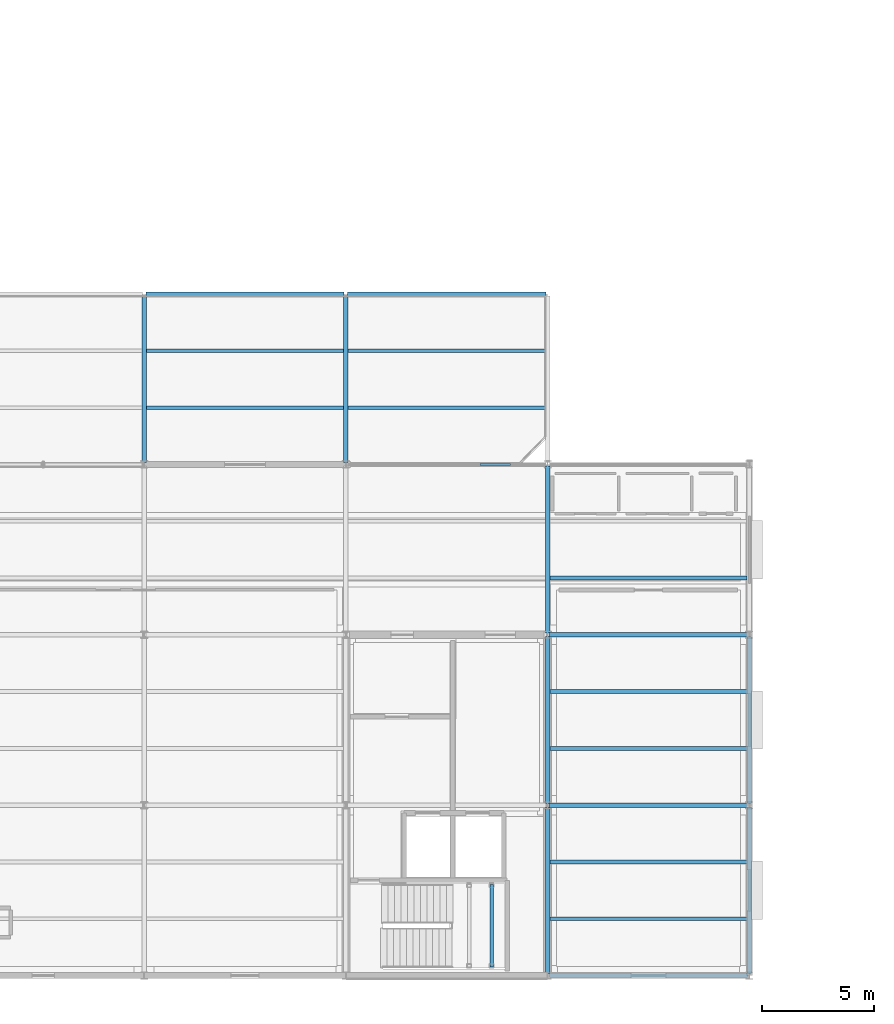
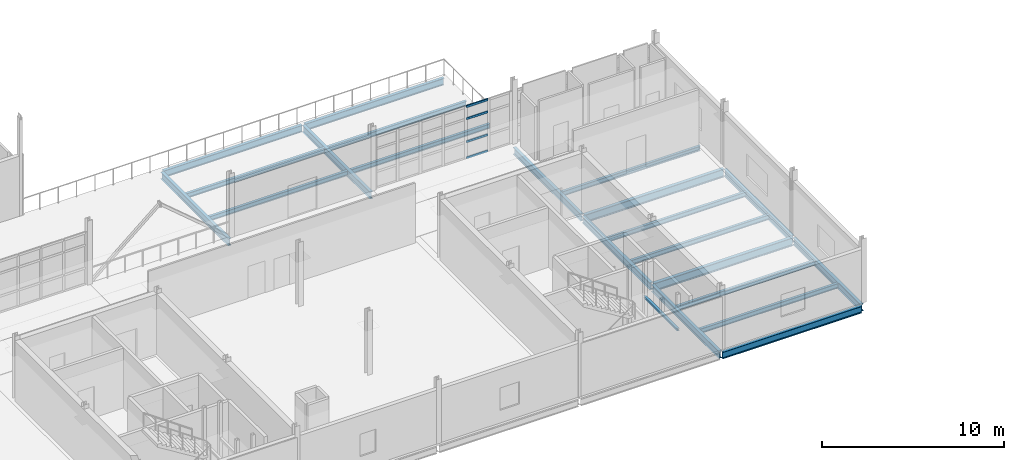
# One storey, part 63 of 166: 22 beams, 4 members, 1 element without a shape of its own.
"""IFC4 building model written with IfcOpenShell, lengths in metres."""

from ifc_helpers import new_model, si_unit, direction, frame, origin, origin_2d, place, context, subcontext, project, spatial, hollow_rectangle, i_section, extrude, material, material_profile, profile_set, type_object, element, aggregate, save


model = new_model("IFC4")

# Units and contexts
model_context = context("Model", 3, precision=1e-05, world=origin(), true_north=direction((0.0, 1.0)))
body_context = subcontext(model_context, "Body", "Model", "MODEL_VIEW")
ifc_project = project(units=[si_unit("LENGTHUNIT", "METRE"), si_unit("AREAUNIT", "SQUARE_METRE"), si_unit("VOLUMEUNIT", "CUBIC_METRE"), si_unit("PLANEANGLEUNIT", "RADIAN"), si_unit("MASSUNIT", "GRAM", prefix="KILO")], contexts=[model_context])

# Site, building, storey
site_placement = place(None, origin())
site = spatial("IfcSite", under=ifc_project, at=site_placement, CompositionType="ELEMENT")
building_placement = place(site_placement, origin())
building = spatial("IfcBuilding", under=site, at=building_placement, Name="Caisbarro Railhouse Central Library", CompositionType="ELEMENT")
storey_placement = place(building_placement, frame((0.0, 0.0, 9.360107421875)))
storey = spatial("IfcBuildingStorey", under=building, at=storey_placement, Name="L02", CompositionType="ELEMENT", Elevation=9.360107421875)

# Beams
ifc_material_1 = material(Name="Steel ASTM A572 Grade 50", Category="steel")
ifc_material_profile_1 = material_profile(ifc_material_1, i_section(OverallWidth=0.2119140625, OverallDepth=0.5439453125, WebThickness=0.01318359375, FlangeThickness=0.021240234375, FilletRadius=0.02001953125, at=origin_2d()), Name="W530X123.0")
ifc_profile_set_1 = profile_set([ifc_material_profile_1], Name="Steel ASTM A572 Grade 50")
beam_type_1 = type_object("IfcBeamType", Name="BM-G05", PredefinedType="BEAM", material=ifc_profile_set_1)
for number, where, z_axis, x_axis, name in (
    (1, (99.080078125, 7.60009765625, -0.51220703125), (1.0, 0.0, 0.0), (0.0, 1.0, 0.0), "G05 beam L02 #1289"),
    (2, (99.080078125, 15.199951171875, -0.51220703125), (1.0, 0.0, 0.0), (0.0, 1.0, 0.0), "G05 beam L02 #1295"),
):
    element("IfcBeam", number, at=place(storey_placement, frame(where, z_axis=z_axis, x_axis=x_axis)), inside=storey, type_object=beam_type_1, Name=name, PredefinedType="BEAM", context=body_context, shape_type="SweptSolid", body=[
        extrude(i_section(OverallWidth=0.2119140625, OverallDepth=0.5439453125, WebThickness=0.01318359375, FlangeThickness=0.021240234375, FilletRadius=0.02001953125, at=origin_2d()), origin(), (0.0, 0.0, 1.0), 8.83984375),
    ])
ifc_material_profile_2 = material_profile(ifc_material_1, i_section(OverallWidth=0.194091796875, OverallDepth=0.468994140625, WebThickness=0.0126953125, FlangeThickness=0.0205078125, FilletRadius=0.01806640625, at=origin_2d()), Name="W460X106.0")
ifc_profile_set_2 = profile_set([ifc_material_profile_2], Name="Steel ASTM A572 Grade 50")
beam_type_2 = type_object("IfcBeamType", Name="BM-G07", PredefinedType="BEAM", material=ifc_profile_set_2)
beam_1_placement = place(storey_placement, frame((99.0, 0.080078125, -0.474609375), z_axis=(0.0, 1.0, 0.0), x_axis=(-1.0, 0.0, 0.0)))
element("IfcBeam", 3, at=beam_1_placement, inside=storey, type_object=beam_type_2, Name="G07 beam L02 #1317", PredefinedType="BEAM", context=body_context, shape_type="SweptSolid", body=[
    extrude(i_section(OverallWidth=0.194091796875, OverallDepth=0.468994140625, WebThickness=0.0126953125, FlangeThickness=0.0205078125, FilletRadius=0.01806640625, at=origin_2d()), origin(), (0.0, 0.0, 1.0), 7.43994140625),
])
beam_2_placement = place(storey_placement, frame((99.0, 7.679931640625, -0.474609375), z_axis=(0.0, 1.0, 0.0), x_axis=(-1.0, 0.0, 0.0)))
element("IfcBeam", 4, at=beam_2_placement, inside=storey, type_object=beam_type_2, Name="G07 beam L02 #1318", PredefinedType="BEAM", context=body_context, shape_type="SweptSolid", body=[
    extrude(i_section(OverallWidth=0.194091796875, OverallDepth=0.468994140625, WebThickness=0.0126953125, FlangeThickness=0.0205078125, FilletRadius=0.01806640625, at=origin_2d()), origin(), (0.0, 0.0, 1.0), 7.440185546875),
])
for number, where, z_axis, x_axis, name in (
    (5, (99.0, 15.280029296875, -0.474609375), (0.0, 1.0, 0.0), (-1.0, 0.0, 0.0), "G07 beam L02 #1319"),
    (6, (108.0, 0.080078125, -0.474609375), (0.0, 1.0, 0.0), (-1.0, 0.0, 0.0), "G07 beam L02 #1320"),
):
    element("IfcBeam", number, at=place(storey_placement, frame(where, z_axis=z_axis, x_axis=x_axis)), inside=storey, type_object=beam_type_2, Name=name, PredefinedType="BEAM", context=body_context, shape_type="SweptSolid", body=[
        extrude(i_section(OverallWidth=0.194091796875, OverallDepth=0.468994140625, WebThickness=0.0126953125, FlangeThickness=0.0205078125, FilletRadius=0.01806640625, at=origin_2d()), origin(), (0.0, 0.0, 1.0), 7.43994140625),
    ])
for number, where, z_axis, x_axis, name in (
    (7, (108.0, 7.679931640625, -0.474609375), (0.0, 1.0, 0.0), (-1.0, 0.0, 0.0), "G07 beam L02 #1321"),
    (8, (81.0, 22.8798828125, -0.444580078125), (0.0, 1.0, 0.0), (-1.0, 0.0, 0.0), "G07 beam L02 #1615"),
    (9, (90.0, 22.8798828125, -0.444580078125), (0.0, 1.0, 0.0), (-1.0, 0.0, 0.0), "G07 beam L02 #1616"),
):
    element("IfcBeam", number, at=place(storey_placement, frame(where, z_axis=z_axis, x_axis=x_axis)), inside=storey, type_object=beam_type_2, Name=name, PredefinedType="BEAM", context=body_context, shape_type="SweptSolid", body=[
        extrude(i_section(OverallWidth=0.194091796875, OverallDepth=0.468994140625, WebThickness=0.0126953125, FlangeThickness=0.0205078125, FilletRadius=0.01806640625, at=origin_2d()), origin(), (0.0, 0.0, 1.0), 7.440185546875),
    ])
ifc_material_profile_3 = material_profile(ifc_material_1, i_section(OverallWidth=0.1669921875, OverallDepth=0.31689453125, WebThickness=0.007568359375, FlangeThickness=0.01318359375, FilletRadius=0.011962890625, at=origin_2d()), Name="W310X52.0")
ifc_profile_set_3 = profile_set([ifc_material_profile_3], Name="Steel ASTM A572 Grade 50")
beam_type_3 = type_object("IfcBeamType", Name="BM-J02", PredefinedType="JOIST", material=ifc_profile_set_3)
for number, where, z_axis, x_axis, name in (
    (10, (99.096923828125, 2.533203125, -0.398681640625), (1.0, 0.0, 0.0), (0.0, 1.0, 0.0), "J02 beam L02 #1345"),
    (11, (99.096923828125, 5.066650390625, -0.398681640625), (1.0, 0.0, 0.0), (0.0, 1.0, 0.0), "J02 beam L02 #1346"),
    (12, (99.096923828125, 10.13330078125, -0.398681640625), (1.0, 0.0, 0.0), (0.0, 1.0, 0.0), "J02 beam L02 #1347"),
    (13, (99.096923828125, 12.666748046875, -0.398681640625), (1.0, 0.0, 0.0), (0.0, 1.0, 0.0), "J02 beam L02 #1348"),
    (14, (99.096923828125, 17.7333984375, -0.398681640625), (1.0, 0.0, 0.0), (0.0, 1.0, 0.0), "J02 beam L02 #1349"),
    (15, (81.096923828125, 25.333251953125, -0.36865234375), (1.0, 0.0, 0.0), (0.0, 1.0, 0.0), "J02 beam L02 #1624"),
    (16, (81.096923828125, 27.86669921875, -0.36865234375), (1.0, 0.0, 0.0), (0.0, 1.0, 0.0), "J02 beam L02 #1625"),
    (17, (90.096923828125, 25.333251953125, -0.36865234375), (1.0, 0.0, 0.0), (0.0, 1.0, 0.0), "J02 beam L02 #1626"),
    (18, (90.096923828125, 27.86669921875, -0.36865234375), (1.0, 0.0, 0.0), (0.0, 1.0, 0.0), "J02 beam L02 #1627"),
):
    element("IfcBeam", number, at=place(storey_placement, frame(where, z_axis=z_axis, x_axis=x_axis)), inside=storey, type_object=beam_type_3, Name=name, PredefinedType="JOIST", context=body_context, shape_type="SweptSolid", body=[
        extrude(i_section(OverallWidth=0.1669921875, OverallDepth=0.31689453125, WebThickness=0.007568359375, FlangeThickness=0.01318359375, FilletRadius=0.011962890625, at=origin_2d()), origin(), (0.0, 0.0, 1.0), 8.80615234375),
    ])
ifc_material_profile_4 = material_profile(ifc_material_1, i_section(OverallWidth=0.152099609375, OverallDepth=0.152099609375, WebThickness=0.005859375, FlangeThickness=0.006591796875, FilletRadius=0.008056640625, at=origin_2d()), Name="W150X22.5")
ifc_profile_set_4 = profile_set([ifc_material_profile_4], Name="Steel ASTM A572 Grade 50")
beam_type_4 = type_object("IfcBeamType", Name="BM-SL02", PredefinedType="BEAM", material=ifc_profile_set_4)
beam_3_placement = place(storey_placement, frame((96.5, 0.3798828125, 1.893798828125), z_axis=(0.0, 1.0, 0.0), x_axis=(-1.0, 0.0, 0.0)))
element("IfcBeam", 19, at=beam_3_placement, inside=storey, type_object=beam_type_4, Name="SL02 Stair Landing Support Beam K2 L02 E", PredefinedType="BEAM", context=body_context, shape_type="SweptSolid", body=[
    extrude(i_section(OverallWidth=0.152099609375, OverallDepth=0.152099609375, WebThickness=0.005859375, FlangeThickness=0.006591796875, FilletRadius=0.008056640625, at=origin_2d()), origin(), (0.0, 0.0, 1.0), 3.690185546875),
])
ifc_material_profile_5 = material_profile(ifc_material_1, i_section(OverallWidth=0.18994140625, OverallDepth=0.45703125, WebThickness=0.009033203125, FlangeThickness=0.014404296875, FilletRadius=0.01806640625, at=origin_2d()), Name="W460X74.0")
ifc_profile_set_5 = profile_set([ifc_material_profile_5], Name="Steel ASTM A572 Grade 50")
beam_type_5 = type_object("IfcBeamType", Name="BM-SP01", PredefinedType="SPANDREL", material=ifc_profile_set_5)
for number, where, z_axis, x_axis, name in (
    (20, (99.080078125, 0.0, -0.468505859375), (1.0, 0.0, 0.0), (0.0, 1.0, 0.0), "SP01 beam L02 #1283"),
    (21, (81.080078125, 30.39990234375, -0.438720703125), (1.0, 0.0, 0.0), (0.0, 1.0, 0.0), "SP01 beam L02 #1610"),
    (22, (90.080078125, 30.39990234375, -0.438720703125), (1.0, 0.0, 0.0), (0.0, 1.0, 0.0), "SP01 beam L02 #1611"),
):
    element("IfcBeam", number, at=place(storey_placement, frame(where, z_axis=z_axis, x_axis=x_axis)), inside=storey, type_object=beam_type_5, Name=name, PredefinedType="SPANDREL", context=body_context, shape_type="SweptSolid", body=[
        extrude(i_section(OverallWidth=0.18994140625, OverallDepth=0.45703125, WebThickness=0.009033203125, FlangeThickness=0.014404296875, FilletRadius=0.01806640625, at=origin_2d()), origin(), (0.0, 0.0, 1.0), 8.83984375),
    ])

# Curtain wall, members
ifc_material_2 = material(Name="Anodised architectural aluminium", Category="aluminium")
curtain_wall_type = type_object("IfcCurtainWallType", Name="CW-CW02", PredefinedType="NOTDEFINED", material=ifc_material_2)
curtain_wall_placement = place(storey_placement, origin())
curtain_wall = element("IfcCurtainWall", 23, at=curtain_wall_placement, inside=storey, type_object=curtain_wall_type, Name="CW02 curtain wall L02 #60", PredefinedType="NOTDEFINED")
ifc_material_profile_6 = material_profile(ifc_material_2, hollow_rectangle(XDim=0.074951171875, YDim=0.139892578125, WallThickness=0.00390625, at=origin_2d()), Name="ALU-TRN-75X140")
ifc_profile_set_6 = profile_set([ifc_material_profile_6], Name="Anodised architectural aluminium")
member_type = type_object("IfcMemberType", Name="CWT-T01", PredefinedType="USERDEFINED", material=ifc_profile_set_6)
member_1_placement = place(storey_placement, frame((95.984130859375, 22.800048828125, 0.037353515625), z_axis=(1.0, 0.0, 0.0), x_axis=(0.0, 1.0, 0.0)))
member_1 = element("IfcMember", 24, at=member_1_placement, type_object=member_type, Name="CW02 transom 5.1", ObjectType="TRANSOM", PredefinedType="USERDEFINED", context=body_context, shape_type="SweptSolid", body=[
    extrude(hollow_rectangle(XDim=0.074951171875, YDim=0.139892578125, WallThickness=0.00390625, at=origin_2d()), origin(), (0.0, 0.0, 1.0), 1.37158203125),
])
member_2_placement = place(storey_placement, frame((95.984130859375, 22.800048828125, 1.119873046875), z_axis=(1.0, 0.0, 0.0), x_axis=(0.0, 1.0, 0.0)))
member_2 = element("IfcMember", 25, at=member_2_placement, type_object=member_type, Name="CW02 transom 5.2", ObjectType="TRANSOM", PredefinedType="USERDEFINED", context=body_context, shape_type="SweptSolid", body=[
    extrude(hollow_rectangle(XDim=0.074951171875, YDim=0.139892578125, WallThickness=0.00390625, at=origin_2d()), origin(), (0.0, 0.0, 1.0), 1.37158203125),
])
member_3_placement = place(storey_placement, frame((95.984130859375, 22.800048828125, 2.659912109375), z_axis=(1.0, 0.0, 0.0), x_axis=(0.0, 1.0, 0.0)))
member_3 = element("IfcMember", 26, at=member_3_placement, type_object=member_type, Name="CW02 transom 5.3", ObjectType="TRANSOM", PredefinedType="USERDEFINED", context=body_context, shape_type="SweptSolid", body=[
    extrude(hollow_rectangle(XDim=0.074951171875, YDim=0.139892578125, WallThickness=0.00390625, at=origin_2d()), origin(), (0.0, 0.0, 1.0), 1.37158203125),
])
member_4_placement = place(storey_placement, frame((95.984130859375, 22.800048828125, 3.472412109375), z_axis=(1.0, 0.0, 0.0), x_axis=(0.0, 1.0, 0.0)))
member_4 = element("IfcMember", 27, at=member_4_placement, type_object=member_type, Name="CW02 transom 5.4", ObjectType="TRANSOM", PredefinedType="USERDEFINED", context=body_context, shape_type="SweptSolid", body=[
    extrude(hollow_rectangle(XDim=0.074951171875, YDim=0.139892578125, WallThickness=0.00390625, at=origin_2d()), origin(), (0.0, 0.0, 1.0), 1.37158203125),
])
aggregate(curtain_wall, [member_1, member_2, member_3, member_4])

save(model, "model.ifc")
